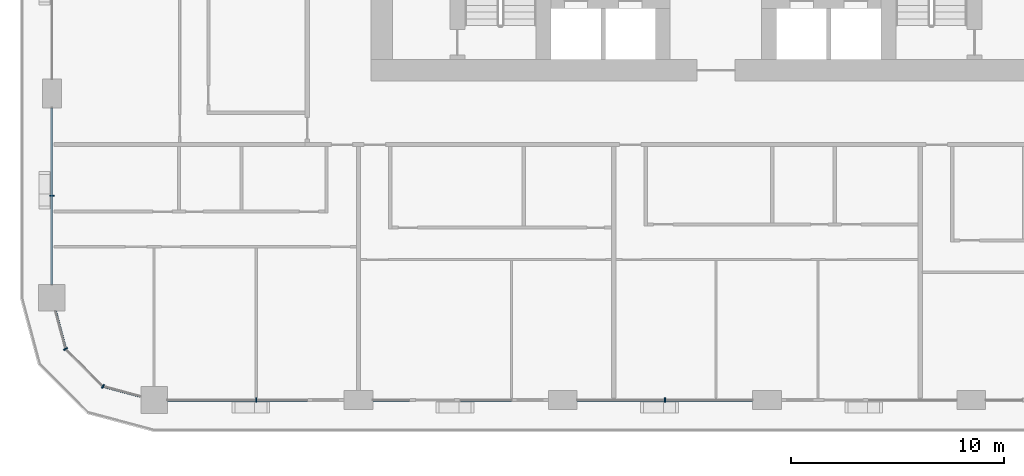
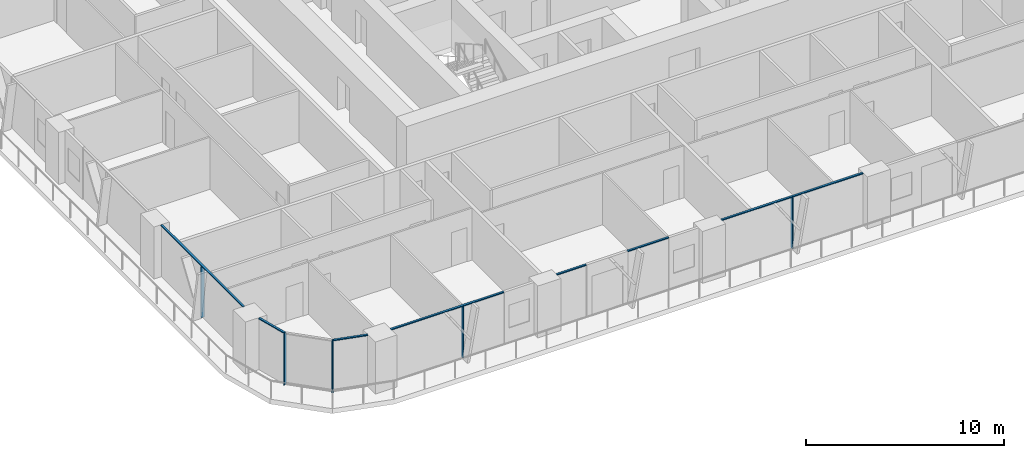
# One storey, part 2 of 21: 12 members, 5 elements without a shape of their own.
"""IFC4 building model written with IfcOpenShell, lengths in metres."""

import ifcopenshell
import ifcopenshell.guid

model = None  # the IFC model being written
_history = None  # IfcOwnerHistory: only IFC2X3 demands one
_inside = {}  # id of a spatial element -> (the spatial element, [elements in it])
_under = {}  # id of a project, library or spatial element -> (it, [spatial elements below it])
_declared = {}  # id of a project -> (the project, [libraries it declares])
_typed = {}  # id of a type object -> (the type object, [elements of that type])
_made_of = {}  # id of a material, layer set ... -> (it, [elements and type objects made of it])


def new_model(schema):
    """Start an empty IFC model of exactly this schema.

    Asked for "IFC4X3", IfcOpenShell would pick the latest addendum, in which some entities
    have other attributes; the version numbers below select the first issue.
    IFC2X3 requires an IfcOwnerHistory on every rooted entity: one is made here for all.
    """
    global model, _history
    if schema == "IFC4X3":
        model = ifcopenshell.file(schema_version=(4, 3, 0, 0))
    else:
        model = ifcopenshell.file(schema=schema)
    _inside.clear()
    _under.clear()
    _declared.clear()
    _typed.clear()
    _made_of.clear()
    _history = None
    if model.schema == "IFC2X3":
        org = make("IfcOrganization", Name="unknown")
        user = make(
            "IfcPersonAndOrganization",
            ThePerson=make("IfcPerson", FamilyName="unknown"),
            TheOrganization=org,
        )
        app = make(
            "IfcApplication",
            ApplicationDeveloper=org,
            Version="unknown",
            ApplicationFullName="unknown",
            ApplicationIdentifier="unknown",
        )
        _history = make(
            "IfcOwnerHistory",
            OwningUser=user,
            OwningApplication=app,
            ChangeAction="ADDED",
            CreationDate=0,
        )
    return model


def make(cls, **values):
    """One entity of the class cls with the attributes given. An attribute that is None is left unset."""
    return model.create_entity(
        cls, **{name: value for name, value in values.items() if value is not None}
    )


def rooted(cls, **values):
    """An entity with a GlobalId (a new one), such as an element, a storey or a relation."""
    return make(cls, GlobalId=ifcopenshell.guid.new(), OwnerHistory=_history, **values)


def si_unit(unit_type, name, prefix=None):
    """IfcSIUnit, for example si_unit("LENGTHUNIT", "METRE", prefix="MILLI")."""
    return make("IfcSIUnit", UnitType=unit_type, Prefix=prefix, Name=name)


def assignment(units):
    """IfcUnitAssignment: the units of a project."""
    return None if units is None else make("IfcUnitAssignment", Units=units)


def point(xyz):
    """IfcCartesianPoint."""
    return None if xyz is None else make("IfcCartesianPoint", Coordinates=xyz)


def direction(xyz):
    """IfcDirection."""
    return None if xyz is None else make("IfcDirection", DirectionRatios=xyz)


def frame(location, z_axis=None, x_axis=None):
    """IfcAxis2Placement3D, a coordinate frame: its origin and axes. An axis left out is left unset."""
    return make(
        "IfcAxis2Placement3D",
        Location=point(location),
        Axis=direction(z_axis),
        RefDirection=direction(x_axis),
    )


def frame_2d(location, x_axis=None):
    """IfcAxis2Placement2D, a coordinate frame in the plane: its origin and x axis."""
    return make(
        "IfcAxis2Placement2D", Location=point(location), RefDirection=direction(x_axis)
    )


def origin():
    """The frame at (0, 0, 0) with its axes left unset."""
    return frame((0.0, 0.0, 0.0))


def origin_2d():
    """The frame at (0, 0) in the plane with its x axis left unset."""
    return frame_2d((0.0, 0.0))


def place(relative_to, where):
    """IfcLocalPlacement: puts the frame where relative to a parent placement (None: the world)."""
    return make(
        "IfcLocalPlacement", PlacementRelTo=relative_to, RelativePlacement=where
    )


def context(
    kind, dimensions, precision=None, world=None, true_north=None, identifier=None
):
    """IfcGeometricRepresentationContext, for example the 3D "Model" context."""
    return make(
        "IfcGeometricRepresentationContext",
        ContextIdentifier=identifier,
        ContextType=kind,
        CoordinateSpaceDimension=dimensions,
        Precision=precision,
        WorldCoordinateSystem=world,
        TrueNorth=true_north,
    )


def subcontext(parent, identifier, kind, view, scale=None):
    """IfcGeometricRepresentationSubContext, for example "Body" below "Model"."""
    return make(
        "IfcGeometricRepresentationSubContext",
        ContextIdentifier=identifier,
        ContextType=kind,
        ParentContext=parent,
        TargetScale=scale,
        TargetView=view,
    )


def project(units=None, contexts=None):
    """IfcProject with its units and contexts."""
    return rooted(
        "IfcProject",
        Name="project",
        RepresentationContexts=contexts,
        UnitsInContext=assignment(units),
    )


def spatial(cls, under=None, at=None, **own):
    """A site, building, storey or space (cls), placed at a placement, below another one or the project."""
    s = rooted(cls, ObjectPlacement=at, **own)
    if under is not None:
        _under.setdefault(under.id(), (under, []))[1].append(s)
    return s


def profile(cls, at=None, kind="AREA", **sizes):
    """A parametric profile (cls). Its sizes go by their IFC names, for example OverallWidth=200.0."""
    return make(cls, ProfileType=kind, Position=at, **sizes)


def rectangle(**sizes):
    """IfcRectangleProfileDef."""
    return profile("IfcRectangleProfileDef", **sizes)


def extrude(swept, where, along, depth):
    """IfcExtrudedAreaSolid: the profile swept, set in the frame where, extruded along a direction by depth."""
    return make(
        "IfcExtrudedAreaSolid",
        SweptArea=swept,
        Position=where,
        ExtrudedDirection=direction(along),
        Depth=depth,
    )


def shape(context_of_items, identifier, shape_type, items):
    """IfcShapeRepresentation: the items that make up one representation, for example the "Body"."""
    return make(
        "IfcShapeRepresentation",
        ContextOfItems=context_of_items,
        RepresentationIdentifier=identifier,
        RepresentationType=shape_type,
        Items=items,
    )


def material(Name=None, Category=None):
    """IfcMaterial."""
    return make("IfcMaterial", Name=Name, Category=Category)


def layer(
    of_material, thickness, ventilated=None, Name=None, Category=None, Priority=None
):
    """IfcMaterialLayer: one layer of a wall or slab, of a material (None: an air gap)."""
    return make(
        "IfcMaterialLayer",
        Material=of_material,
        LayerThickness=thickness,
        IsVentilated=ventilated,
        Name=Name,
        Category=Category,
        Priority=Priority,
    )


def layer_set(layers, Name=None):
    """IfcMaterialLayerSet."""
    return make("IfcMaterialLayerSet", MaterialLayers=layers, LayerSetName=Name)


def material_profile(
    of_material, cross_section, Name=None, Category=None, Priority=None
):
    """IfcMaterialProfile: a cross section and its material."""
    return make(
        "IfcMaterialProfile",
        Name=Name,
        Material=of_material,
        Profile=cross_section,
        Priority=Priority,
        Category=Category,
    )


def profile_set(profiles, Name=None, composite=None):
    """IfcMaterialProfileSet."""
    return make(
        "IfcMaterialProfileSet",
        Name=Name,
        MaterialProfiles=profiles,
        CompositeProfile=composite,
    )


def made_of(thing, what):
    """Note that an element or type object is made of a material, layer set ...; save() writes the relation."""
    if what is not None:
        _made_of.setdefault(what.id(), (what, []))[1].append(thing)
    return thing


def type_object(cls, material=None, **own):
    """A type object (cls), such as IfcWallType, which elements share."""
    return made_of(rooted(cls, **own), material)


def element(
    cls,
    number,
    at=None,
    inside=None,
    cuts=None,
    type_object=None,
    material=None,
    context=None,
    identifier="Body",
    shape_type=None,
    held_by="IfcProductDefinitionShape",
    body=None,
    shapes=None,
    **own,
):
    """One element of the class cls, such as IfcWall. Its Tag is "e" and its number.

    at: its placement. inside: the storey or other place that contains it. cuts: it is an
    opening in that element (IfcRelVoidsElement). A single representation is given by context,
    identifier, shape_type and body (its items); several are given by shapes. held_by: the class
    of the entity that holds the representations. save() writes the other relations.
    """
    e = rooted(cls, Tag="e%d" % number, ObjectPlacement=at, **own)
    if body is not None:
        shapes = [shape(context, identifier, shape_type, body)]
    if shapes is not None:
        e.Representation = make(held_by, Representations=shapes)
    if inside is not None:
        _inside.setdefault(inside.id(), (inside, []))[1].append(e)
    if cuts is not None:
        rooted(
            "IfcRelVoidsElement", RelatingBuildingElement=cuts, RelatedOpeningElement=e
        )
    if type_object is not None:
        _typed.setdefault(type_object.id(), (type_object, []))[1].append(e)
    return made_of(e, material)


def aggregate(whole, parts):
    """IfcRelAggregates: a whole, such as a stair, and the parts it consists of."""
    return rooted("IfcRelAggregates", RelatingObject=whole, RelatedObjects=parts)


def save(model, path):
    """Write the relations noted so far, then the file.

    IfcRelAggregates (storeys below a building ...), IfcRelContainedInSpatialStructure (elements
    in a storey), IfcRelDefinesByType, IfcRelAssociatesMaterial and IfcRelDeclares: one each for
    every whole, place, type object, material and project.
    """
    for whole, parts in _under.values():
        aggregate(whole, parts)
    for where, things in _inside.values():
        rooted(
            "IfcRelContainedInSpatialStructure",
            RelatedElements=things,
            RelatingStructure=where,
        )
    for kind, things in _typed.values():
        rooted("IfcRelDefinesByType", RelatedObjects=things, RelatingType=kind)
    for what, things in _made_of.values():
        rooted("IfcRelAssociatesMaterial", RelatedObjects=things, RelatingMaterial=what)
    for by, libraries in _declared.values():
        rooted("IfcRelDeclares", RelatingContext=by, RelatedDefinitions=libraries)
    model.write(path)


model = new_model("IFC4")

# Units and contexts
model_context = context("Model", 3, precision=1e-05, world=origin(), true_north=direction((0.0, 1.0)))
body_context = subcontext(model_context, "Body", "Model", "MODEL_VIEW")
ifc_project = project(units=[si_unit("LENGTHUNIT", "METRE"), si_unit("AREAUNIT", "SQUARE_METRE"), si_unit("VOLUMEUNIT", "CUBIC_METRE"), si_unit("PLANEANGLEUNIT", "RADIAN"), si_unit("MASSUNIT", "GRAM", prefix="KILO")], contexts=[model_context])

# Site, building, storey
site_placement = place(None, origin())
site = spatial("IfcSite", under=ifc_project, at=site_placement, CompositionType="ELEMENT")
building_placement = place(site_placement, origin())
building = spatial("IfcBuilding", under=site, at=building_placement, Name="Madar Terraces", CompositionType="ELEMENT")
storey_placement = place(building_placement, frame((0.0, 0.0, 36.39990234375)))
storey = spatial("IfcBuildingStorey", under=building, at=storey_placement, Name="L08", CompositionType="ELEMENT", Elevation=36.39990234375)

# Curtain wall, member
ifc_material_1 = material(Name="Glass, ceramic frit dark grey, with black aluminium frame", Category="aluminium")
ifc_layer = layer(ifc_material_1, 0.199951171875)
ifc_layer_set = layer_set([ifc_layer], Name="Facade curtain wall, fritted glass")
curtain_wall_type = type_object("IfcCurtainWallType", Name="Facade curtain wall, fritted glass", PredefinedType="NOTDEFINED", material=ifc_layer_set)
curtain_wall_1_placement = place(storey_placement, origin())
curtain_wall_1 = element("IfcCurtainWall", 1, at=curtain_wall_1_placement, inside=storey, type_object=curtain_wall_type, Name="Outer skin curtain wall south bay 1", PredefinedType="NOTDEFINED")
ifc_material_2 = material(Name="Aluminium, black anodised", Category="aluminium")
ifc_material_profile_1 = material_profile(ifc_material_2, rectangle(XDim=0.199951171875, YDim=0.06005859375, at=origin_2d()), Name="Facade mullion 60x200")
ifc_profile_set_1 = profile_set([ifc_material_profile_1], Name="Aluminium, black anodised")
member_type_1 = type_object("IfcMemberType", Name="Facade mullion 60x200", PredefinedType="MULLION", material=ifc_profile_set_1)
member_1_placement = place(storey_placement, frame((9.60009765625, 0.0, 0.0), z_axis=(0.0, 0.0, 1.0), x_axis=(0.0, 1.0, 0.0)))
member_1 = element("IfcMember", 2, at=member_1_placement, type_object=member_type_1, Name="Mullion 1", PredefinedType="MULLION", context=body_context, shape_type="SweptSolid", body=[
    extrude(rectangle(XDim=0.199951171875, YDim=0.06005859375, at=origin_2d()), origin(), (0.0, 0.0, 1.0), 3.14013671875),
])

curtain_wall_2_placement = place(storey_placement, origin())
curtain_wall_2 = element("IfcCurtainWall", 3, at=curtain_wall_2_placement, inside=storey, type_object=curtain_wall_type, Name="Outer skin curtain wall south bay 3", PredefinedType="NOTDEFINED")
member_2_placement = place(storey_placement, frame((28.800048828125, 0.0, 0.0), z_axis=(0.0, 0.0, 1.0), x_axis=(0.0, 1.0, 0.0)))
member_2 = element("IfcMember", 4, at=member_2_placement, type_object=member_type_1, Name="Mullion 1", PredefinedType="MULLION", context=body_context, shape_type="SweptSolid", body=[
    extrude(rectangle(XDim=0.199951171875, YDim=0.06005859375, at=origin_2d()), origin(), (0.0, 0.0, 1.0), 3.14013671875),
])

curtain_wall_3_placement = place(storey_placement, origin())
curtain_wall_3 = element("IfcCurtainWall", 5, at=curtain_wall_3_placement, inside=storey, type_object=curtain_wall_type, Name="Outer skin curtain wall west bay 4", PredefinedType="NOTDEFINED")
member_3_placement = place(storey_placement, frame((0.0, 9.60009765625, 0.0), z_axis=(0.0, 0.0, 1.0), x_axis=(1.0, 0.0, 0.0)))
member_3 = element("IfcMember", 6, at=member_3_placement, type_object=member_type_1, Name="Mullion 1", PredefinedType="MULLION", context=body_context, shape_type="SweptSolid", body=[
    extrude(rectangle(XDim=0.199951171875, YDim=0.06005859375, at=origin_2d()), origin(), (0.0, 0.0, 1.0), 3.14013671875),
])

# Curtain wall, members
curtain_wall_4_placement = place(storey_placement, origin())
curtain_wall_4 = element("IfcCurtainWall", 7, at=curtain_wall_4_placement, inside=storey, type_object=curtain_wall_type, Name="Outer skin curtain wall south-west corner", PredefinedType="NOTDEFINED")
member_4_placement = place(storey_placement, frame((0.64306640625, 2.39990234375, 0.0), z_axis=(0.0, 0.0, 1.0), x_axis=(0.866025409797, 0.499999989586, 0.0)))
member_4 = element("IfcMember", 8, at=member_4_placement, type_object=member_type_1, Name="Mullion 1", PredefinedType="MULLION", context=body_context, shape_type="SweptSolid", body=[
    extrude(rectangle(XDim=0.199951171875, YDim=0.06005859375, at=origin_2d()), origin(), (0.0, 0.0, 1.0), 3.14013671875),
])
member_5_placement = place(storey_placement, frame((2.39990234375, 0.64306640625, 0.0), z_axis=(0.0, 0.0, 1.0), x_axis=(0.499999989586, 0.866025409797, 0.0)))
member_5 = element("IfcMember", 9, at=member_5_placement, type_object=member_type_1, Name="Mullion 2", PredefinedType="MULLION", context=body_context, shape_type="SweptSolid", body=[
    extrude(rectangle(XDim=0.199951171875, YDim=0.06005859375, at=origin_2d()), origin(), (0.0, 0.0, 1.0), 3.14013671875),
])

# Member
ifc_material_3 = material(Name="Aluminium, black anodised", Category="aluminium")
ifc_material_profile_2 = material_profile(ifc_material_3, rectangle(XDim=0.1201171875, YDim=0.06005859375, at=origin_2d()), Name="Facade transom 60x120")
ifc_profile_set_2 = profile_set([ifc_material_profile_2], Name="Aluminium, black anodised")
member_type_2 = type_object("IfcMemberType", Name="Facade transom 60x120", PredefinedType="USERDEFINED", material=ifc_profile_set_2)
member_6_placement = place(storey_placement, frame((5.425048828125, 0.0, 3.170166015625), z_axis=(1.0, 0.0, 0.0), x_axis=(0.0, 1.0, 0.0)))
member_6 = element("IfcMember", 10, at=member_6_placement, type_object=member_type_2, Name="Transom 1", ObjectType="TRANSOM", PredefinedType="USERDEFINED", context=body_context, shape_type="SweptSolid", body=[
    extrude(rectangle(XDim=0.1201171875, YDim=0.06005859375, at=origin_2d()), origin(), (0.0, 0.0, 1.0), 6.574951171875),
])

aggregate(curtain_wall_1, [member_1, member_6])

# Curtain wall, members
curtain_wall_5_placement = place(storey_placement, origin())
curtain_wall_5 = element("IfcCurtainWall", 11, at=curtain_wall_5_placement, inside=storey, type_object=curtain_wall_type, Name="Outer skin curtain wall south bay 2", PredefinedType="NOTDEFINED")
member_7_placement = place(storey_placement, frame((15.074951171875, 0.0, 3.170166015625), z_axis=(1.0, 0.0, 0.0), x_axis=(0.0, 1.0, 0.0)))
member_7 = element("IfcMember", 12, at=member_7_placement, type_object=member_type_2, Name="Transom 1", ObjectType="TRANSOM", PredefinedType="USERDEFINED", context=body_context, shape_type="SweptSolid", body=[
    extrude(rectangle(XDim=0.1201171875, YDim=0.06005859375, at=origin_2d()), origin(), (0.0, 0.0, 1.0), 1.72509765625),
])
member_8_placement = place(storey_placement, frame((19.199951171875, 0.0, 3.170166015625), z_axis=(1.0, 0.0, 0.0), x_axis=(0.0, 1.0, 0.0)))
member_8 = element("IfcMember", 13, at=member_8_placement, type_object=member_type_2, Name="Transom 2", ObjectType="TRANSOM", PredefinedType="USERDEFINED", context=body_context, shape_type="SweptSolid", body=[
    extrude(rectangle(XDim=0.1201171875, YDim=0.06005859375, at=origin_2d()), origin(), (0.0, 0.0, 1.0), 2.400146484375),
])
aggregate(curtain_wall_5, [member_7, member_8])

# Member
member_9_placement = place(storey_placement, frame((24.675048828125, 0.0, 3.170166015625), z_axis=(1.0, 0.0, 0.0), x_axis=(0.0, 1.0, 0.0)))
member_9 = element("IfcMember", 14, at=member_9_placement, type_object=member_type_2, Name="Transom 1", ObjectType="TRANSOM", PredefinedType="USERDEFINED", context=body_context, shape_type="SweptSolid", body=[
    extrude(rectangle(XDim=0.1201171875, YDim=0.06005859375, at=origin_2d()), origin(), (0.0, 0.0, 1.0), 8.25),
])

aggregate(curtain_wall_2, [member_2, member_9])

member_10_placement = place(storey_placement, frame((0.0, 13.72509765625, 3.170166015625), z_axis=(0.0, -1.0, 0.0), x_axis=(1.0, 0.0, 0.0)))
member_10 = element("IfcMember", 15, at=member_10_placement, type_object=member_type_2, Name="Transom 1", ObjectType="TRANSOM", PredefinedType="USERDEFINED", context=body_context, shape_type="SweptSolid", body=[
    extrude(rectangle(XDim=0.1201171875, YDim=0.06005859375, at=origin_2d()), origin(), (0.0, 0.0, 1.0), 8.300048828125),
])

aggregate(curtain_wall_3, [member_3, member_10])

member_11_placement = place(storey_placement, frame((0.16748046875, 4.175048828125, 3.170166015625), z_axis=(0.258772089929, -0.965938406667, 0.0), x_axis=(0.965938406667, 0.258772089929, 0.0)))
member_11 = element("IfcMember", 16, at=member_11_placement, type_object=member_type_2, Name="Transom 1", ObjectType="TRANSOM", PredefinedType="USERDEFINED", context=body_context, shape_type="SweptSolid", body=[
    extrude(rectangle(XDim=0.1201171875, YDim=0.06005859375, at=origin_2d()), origin(), (0.0, 0.0, 1.0), 1.8076171875),
])

member_12_placement = place(storey_placement, frame((2.428955078125, 0.63525390625, 3.170166015625), z_axis=(0.965938406667, -0.258772089929, 0.0), x_axis=(0.258772089929, 0.965938406667, 0.0)))
member_12 = element("IfcMember", 17, at=member_12_placement, type_object=member_type_2, Name="Transom 3", ObjectType="TRANSOM", PredefinedType="USERDEFINED", context=body_context, shape_type="SweptSolid", body=[
    extrude(rectangle(XDim=0.1201171875, YDim=0.06005859375, at=origin_2d()), origin(), (0.0, 0.0, 1.0), 1.8076171875),
])

aggregate(curtain_wall_4, [member_4, member_11, member_5, member_12])

save(model, "model.ifc")
